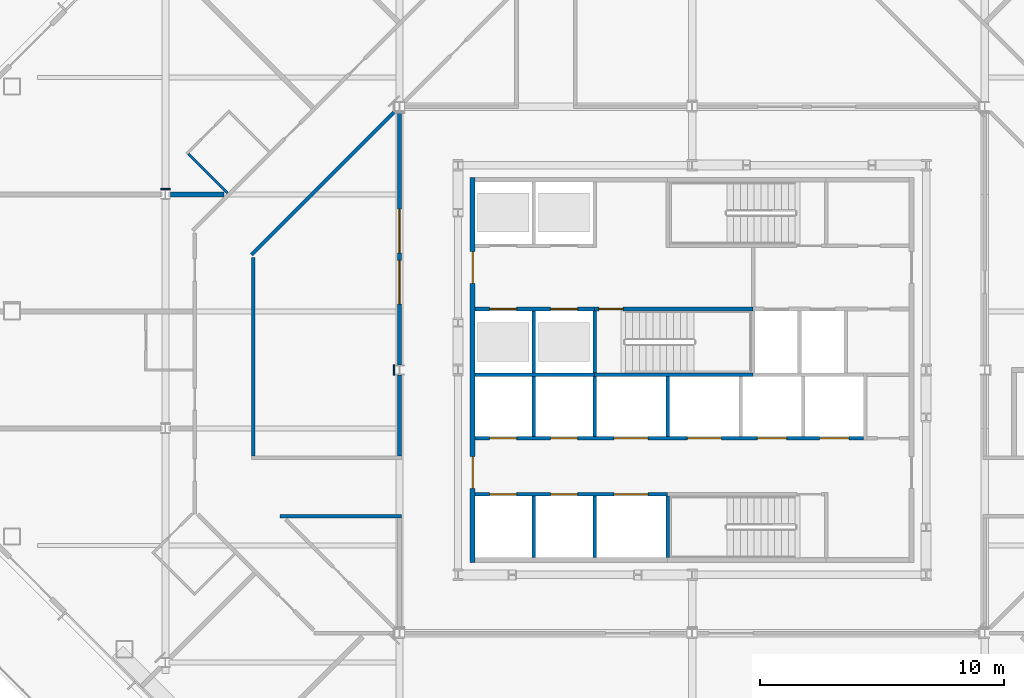
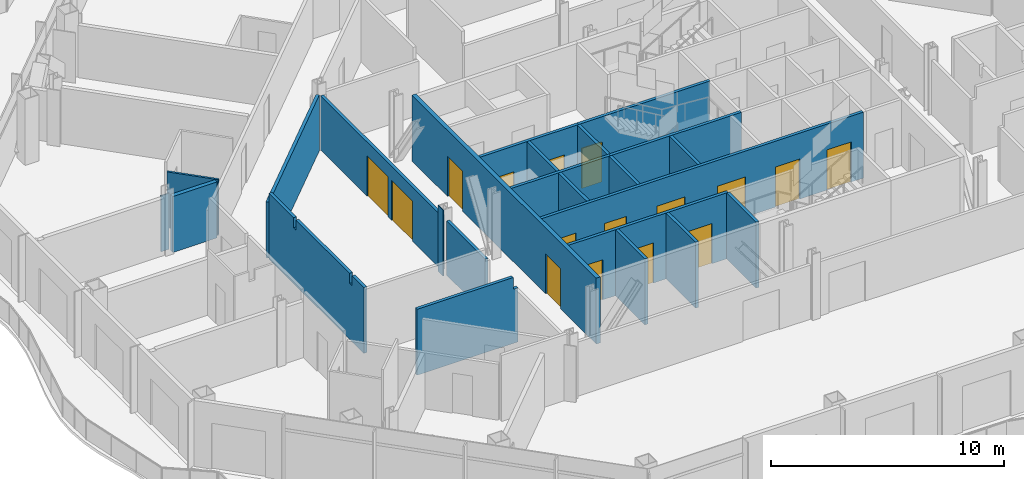
# One storey, part 10 of 24: 24 walls, 16 doors, 16 openings.
"""IFC4 building model written with IfcOpenShell, lengths in metres."""

import ifcopenshell
import ifcopenshell.guid

model = None  # the IFC model being written
_history = None  # IfcOwnerHistory: only IFC2X3 demands one
_inside = {}  # id of a spatial element -> (the spatial element, [elements in it])
_under = {}  # id of a project, library or spatial element -> (it, [spatial elements below it])
_declared = {}  # id of a project -> (the project, [libraries it declares])
_typed = {}  # id of a type object -> (the type object, [elements of that type])
_made_of = {}  # id of a material, layer set ... -> (it, [elements and type objects made of it])


def new_model(schema):
    """Start an empty IFC model of exactly this schema.

    Asked for "IFC4X3", IfcOpenShell would pick the latest addendum, in which some entities
    have other attributes; the version numbers below select the first issue.
    IFC2X3 requires an IfcOwnerHistory on every rooted entity: one is made here for all.
    """
    global model, _history
    if schema == "IFC4X3":
        model = ifcopenshell.file(schema_version=(4, 3, 0, 0))
    else:
        model = ifcopenshell.file(schema=schema)
    _inside.clear()
    _under.clear()
    _declared.clear()
    _typed.clear()
    _made_of.clear()
    _history = None
    if model.schema == "IFC2X3":
        org = make("IfcOrganization", Name="unknown")
        user = make(
            "IfcPersonAndOrganization",
            ThePerson=make("IfcPerson", FamilyName="unknown"),
            TheOrganization=org,
        )
        app = make(
            "IfcApplication",
            ApplicationDeveloper=org,
            Version="unknown",
            ApplicationFullName="unknown",
            ApplicationIdentifier="unknown",
        )
        _history = make(
            "IfcOwnerHistory",
            OwningUser=user,
            OwningApplication=app,
            ChangeAction="ADDED",
            CreationDate=0,
        )
    return model


def make(cls, **values):
    """One entity of the class cls with the attributes given. An attribute that is None is left unset."""
    return model.create_entity(
        cls, **{name: value for name, value in values.items() if value is not None}
    )


def rooted(cls, **values):
    """An entity with a GlobalId (a new one), such as an element, a storey or a relation."""
    return make(cls, GlobalId=ifcopenshell.guid.new(), OwnerHistory=_history, **values)


def si_unit(unit_type, name, prefix=None):
    """IfcSIUnit, for example si_unit("LENGTHUNIT", "METRE", prefix="MILLI")."""
    return make("IfcSIUnit", UnitType=unit_type, Prefix=prefix, Name=name)


def assignment(units):
    """IfcUnitAssignment: the units of a project."""
    return None if units is None else make("IfcUnitAssignment", Units=units)


def point(xyz):
    """IfcCartesianPoint."""
    return None if xyz is None else make("IfcCartesianPoint", Coordinates=xyz)


def direction(xyz):
    """IfcDirection."""
    return None if xyz is None else make("IfcDirection", DirectionRatios=xyz)


def frame(location, z_axis=None, x_axis=None):
    """IfcAxis2Placement3D, a coordinate frame: its origin and axes. An axis left out is left unset."""
    return make(
        "IfcAxis2Placement3D",
        Location=point(location),
        Axis=direction(z_axis),
        RefDirection=direction(x_axis),
    )


def frame_2d(location, x_axis=None):
    """IfcAxis2Placement2D, a coordinate frame in the plane: its origin and x axis."""
    return make(
        "IfcAxis2Placement2D", Location=point(location), RefDirection=direction(x_axis)
    )


def origin():
    """The frame at (0, 0, 0) with its axes left unset."""
    return frame((0.0, 0.0, 0.0))


def place(relative_to, where):
    """IfcLocalPlacement: puts the frame where relative to a parent placement (None: the world)."""
    return make(
        "IfcLocalPlacement", PlacementRelTo=relative_to, RelativePlacement=where
    )


def context(
    kind, dimensions, precision=None, world=None, true_north=None, identifier=None
):
    """IfcGeometricRepresentationContext, for example the 3D "Model" context."""
    return make(
        "IfcGeometricRepresentationContext",
        ContextIdentifier=identifier,
        ContextType=kind,
        CoordinateSpaceDimension=dimensions,
        Precision=precision,
        WorldCoordinateSystem=world,
        TrueNorth=true_north,
    )


def subcontext(parent, identifier, kind, view, scale=None):
    """IfcGeometricRepresentationSubContext, for example "Body" below "Model"."""
    return make(
        "IfcGeometricRepresentationSubContext",
        ContextIdentifier=identifier,
        ContextType=kind,
        ParentContext=parent,
        TargetScale=scale,
        TargetView=view,
    )


def project(units=None, contexts=None):
    """IfcProject with its units and contexts."""
    return rooted(
        "IfcProject",
        Name="project",
        RepresentationContexts=contexts,
        UnitsInContext=assignment(units),
    )


def spatial(cls, under=None, at=None, **own):
    """A site, building, storey or space (cls), placed at a placement, below another one or the project."""
    s = rooted(cls, ObjectPlacement=at, **own)
    if under is not None:
        _under.setdefault(under.id(), (under, []))[1].append(s)
    return s


def polyline(points):
    """IfcPolyline through the points."""
    return make("IfcPolyline", Points=[point(p) for p in points])


def profile(cls, at=None, kind="AREA", **sizes):
    """A parametric profile (cls). Its sizes go by their IFC names, for example OverallWidth=200.0."""
    return make(cls, ProfileType=kind, Position=at, **sizes)


def rectangle(**sizes):
    """IfcRectangleProfileDef."""
    return profile("IfcRectangleProfileDef", **sizes)


def outline(outer, holes=None, kind="AREA"):
    """IfcArbitraryClosedProfileDef: a profile drawn as a closed curve; with holes, ...WithVoids."""
    if holes is None:
        return make("IfcArbitraryClosedProfileDef", ProfileType=kind, OuterCurve=outer)
    return make(
        "IfcArbitraryProfileDefWithVoids",
        ProfileType=kind,
        OuterCurve=outer,
        InnerCurves=holes,
    )


def extrude(swept, where, along, depth):
    """IfcExtrudedAreaSolid: the profile swept, set in the frame where, extruded along a direction by depth."""
    return make(
        "IfcExtrudedAreaSolid",
        SweptArea=swept,
        Position=where,
        ExtrudedDirection=direction(along),
        Depth=depth,
    )


def shape(context_of_items, identifier, shape_type, items):
    """IfcShapeRepresentation: the items that make up one representation, for example the "Body"."""
    return make(
        "IfcShapeRepresentation",
        ContextOfItems=context_of_items,
        RepresentationIdentifier=identifier,
        RepresentationType=shape_type,
        Items=items,
    )


def material(Name=None, Category=None):
    """IfcMaterial."""
    return make("IfcMaterial", Name=Name, Category=Category)


def layer(
    of_material, thickness, ventilated=None, Name=None, Category=None, Priority=None
):
    """IfcMaterialLayer: one layer of a wall or slab, of a material (None: an air gap)."""
    return make(
        "IfcMaterialLayer",
        Material=of_material,
        LayerThickness=thickness,
        IsVentilated=ventilated,
        Name=Name,
        Category=Category,
        Priority=Priority,
    )


def layer_set(layers, Name=None):
    """IfcMaterialLayerSet."""
    return make("IfcMaterialLayerSet", MaterialLayers=layers, LayerSetName=Name)


def made_of(thing, what):
    """Note that an element or type object is made of a material, layer set ...; save() writes the relation."""
    if what is not None:
        _made_of.setdefault(what.id(), (what, []))[1].append(thing)
    return thing


def type_object(cls, material=None, **own):
    """A type object (cls), such as IfcWallType, which elements share."""
    return made_of(rooted(cls, **own), material)


def element(
    cls,
    number,
    at=None,
    inside=None,
    cuts=None,
    type_object=None,
    material=None,
    context=None,
    identifier="Body",
    shape_type=None,
    held_by="IfcProductDefinitionShape",
    body=None,
    shapes=None,
    **own,
):
    """One element of the class cls, such as IfcWall. Its Tag is "e" and its number.

    at: its placement. inside: the storey or other place that contains it. cuts: it is an
    opening in that element (IfcRelVoidsElement). A single representation is given by context,
    identifier, shape_type and body (its items); several are given by shapes. held_by: the class
    of the entity that holds the representations. save() writes the other relations.
    """
    e = rooted(cls, Tag="e%d" % number, ObjectPlacement=at, **own)
    if body is not None:
        shapes = [shape(context, identifier, shape_type, body)]
    if shapes is not None:
        e.Representation = make(held_by, Representations=shapes)
    if inside is not None:
        _inside.setdefault(inside.id(), (inside, []))[1].append(e)
    if cuts is not None:
        rooted(
            "IfcRelVoidsElement", RelatingBuildingElement=cuts, RelatedOpeningElement=e
        )
    if type_object is not None:
        _typed.setdefault(type_object.id(), (type_object, []))[1].append(e)
    return made_of(e, material)


def fill(opening, filler):
    """IfcRelFillsElement: the door or window that sits in an opening."""
    return rooted(
        "IfcRelFillsElement",
        RelatingOpeningElement=opening,
        RelatedBuildingElement=filler,
    )


def aggregate(whole, parts):
    """IfcRelAggregates: a whole, such as a stair, and the parts it consists of."""
    return rooted("IfcRelAggregates", RelatingObject=whole, RelatedObjects=parts)


def save(model, path):
    """Write the relations noted so far, then the file.

    IfcRelAggregates (storeys below a building ...), IfcRelContainedInSpatialStructure (elements
    in a storey), IfcRelDefinesByType, IfcRelAssociatesMaterial and IfcRelDeclares: one each for
    every whole, place, type object, material and project.
    """
    for whole, parts in _under.values():
        aggregate(whole, parts)
    for where, things in _inside.values():
        rooted(
            "IfcRelContainedInSpatialStructure",
            RelatedElements=things,
            RelatingStructure=where,
        )
    for kind, things in _typed.values():
        rooted("IfcRelDefinesByType", RelatedObjects=things, RelatingType=kind)
    for what, things in _made_of.values():
        rooted("IfcRelAssociatesMaterial", RelatedObjects=things, RelatingMaterial=what)
    for by, libraries in _declared.values():
        rooted("IfcRelDeclares", RelatingContext=by, RelatedDefinitions=libraries)
    model.write(path)


model = new_model("IFC4")

# Units and contexts
model_context = context("Model", 3, precision=1e-05, world=origin(), true_north=direction((0.0, 1.0)))
body_context = subcontext(model_context, "Body", "Model", "MODEL_VIEW")
ifc_project = project(units=[si_unit("LENGTHUNIT", "METRE"), si_unit("AREAUNIT", "SQUARE_METRE"), si_unit("VOLUMEUNIT", "CUBIC_METRE"), si_unit("PLANEANGLEUNIT", "RADIAN"), si_unit("MASSUNIT", "GRAM", prefix="KILO")], contexts=[model_context])

# Site, building, storey
site_placement = place(None, origin())
site = spatial("IfcSite", under=ifc_project, at=site_placement, CompositionType="ELEMENT")
building_placement = place(site_placement, origin())
building = spatial("IfcBuilding", under=site, at=building_placement, Name="Cairn Pilgrim Tower", CompositionType="ELEMENT")
storey_placement = place(building_placement, frame((0.0, 0.0, 125.39990234375)))
storey = spatial("IfcBuildingStorey", under=building, at=storey_placement, Name="L30", CompositionType="ELEMENT", Elevation=125.39990234375)

# Wall, openings, doors
ifc_material_1 = material(Name="Concrete C32/40", Category="concrete")
ifc_layer_1 = layer(ifc_material_1, 0.199951171875)
ifc_layer_set_1 = layer_set([ifc_layer_1], Name="CORE OUTER WALL 200 EI 120")
wall_type_1 = type_object("IfcWallType", Name="CORE OUTER WALL 200 EI 120", PredefinedType="SOLIDWALL", material=ifc_layer_set_1)
wall_1_placement = place(storey_placement, frame((-1.800048828125, -5.5, 0.0), z_axis=(0.0, 0.0, 1.0), x_axis=(0.0, 1.0, 0.0)))
wall_1 = element("IfcWall", 1, at=wall_1_placement, inside=storey, type_object=wall_type_1, Name="CW:L30:V11", PredefinedType="SOLIDWALL", context=body_context, shape_type="SweptSolid", body=[
    extrude(rectangle(XDim=15.800048828125, YDim=0.199951171875, at=frame_2d((7.89990234375, 0.0))), origin(), (0.0, 0.0, 1.0), 3.4501953125),
])
opening_1_placement = place(wall_1_placement, frame((3.050048828125, 0.0, 0.0)))
opening_1 = element("IfcOpeningElement", 2, at=opening_1_placement, cuts=wall_1, Name="Opening CD-W1", PredefinedType="OPENING", context=body_context, shape_type="SweptSolid", body=[
    extrude(rectangle(XDim=1.300048828125, YDim=2.10009765625, at=frame_2d((0.64990234375, 1.050048828125))), frame((0.0, 0.10986328125, 0.0), z_axis=(0.0, -1.0, 0.0), x_axis=(1.0, 0.0, 0.0)), (0.0, 0.0, 1.0), 0.219970703125),
])
opening_2_placement = place(wall_1_placement, frame((11.449951171875, 0.0, 0.0)))
opening_2 = element("IfcOpeningElement", 3, at=opening_2_placement, cuts=wall_1, Name="Opening CD-W2", PredefinedType="OPENING", context=body_context, shape_type="SweptSolid", body=[
    extrude(rectangle(XDim=1.300048828125, YDim=2.10009765625, at=frame_2d((0.64990234375, 1.050048828125))), frame((0.0, 0.10986328125, 0.0), z_axis=(0.0, -1.0, 0.0), x_axis=(1.0, 0.0, 0.0)), (0.0, 0.0, 1.0), 0.219970703125),
])
ifc_material_2 = material(Name="Painted steel", Category="steel")
door_type_1 = type_object("IfcDoorType", Name="CORE LOBBY DOOR 1300x2100", OperationType="DOUBLE_DOOR_SINGLE_SWING", PredefinedType="DOOR", material=ifc_material_2)
door_1_placement = place(opening_1_placement, origin())
door_1 = element("IfcDoor", 4, at=door_1_placement, inside=storey, type_object=door_type_1, Name="CD-W1", OperationType="DOUBLE_DOOR_SINGLE_SWING", OverallHeight=2.10009765625, OverallWidth=1.300048828125, PredefinedType="DOOR", context=body_context, shape_type="SweptSolid", body=[
    extrude(rectangle(XDim=1.300048828125, YDim=2.10009765625, at=frame_2d((0.64990234375, 1.050048828125))), frame((0.0, 0.02490234375, 0.0), z_axis=(0.0, -1.0, 0.0), x_axis=(1.0, 0.0, 0.0)), (0.0, 0.0, 1.0), 0.050048828125),
])
fill(opening_1, door_1)
door_2_placement = place(opening_2_placement, origin())
door_2 = element("IfcDoor", 5, at=door_2_placement, inside=storey, type_object=door_type_1, Name="CD-W2", OperationType="DOUBLE_DOOR_SINGLE_SWING", OverallHeight=2.10009765625, OverallWidth=1.300048828125, PredefinedType="DOOR", context=body_context, shape_type="SweptSolid", body=[
    extrude(rectangle(XDim=1.300048828125, YDim=2.10009765625, at=frame_2d((0.64990234375, 1.050048828125))), frame((0.0, 0.02490234375, 0.0), z_axis=(0.0, -1.0, 0.0), x_axis=(1.0, 0.0, 0.0)), (0.0, 0.0, 1.0), 0.050048828125),
])
fill(opening_2, door_2)

ifc_layer_2 = layer(ifc_material_1, 0.14990234375)
ifc_layer_set_2 = layer_set([ifc_layer_2], Name="CORE SHAFT WALL 150 EI 120")
wall_type_2 = type_object("IfcWallType", Name="CORE SHAFT WALL 150 EI 120", PredefinedType="SOLIDWALL", material=ifc_layer_set_2)
wall_2_placement = place(storey_placement, frame((-1.699951171875, -2.699951171875, 0.0), z_axis=(0.0, 0.0, 1.0), x_axis=(1.0, 0.0, 0.0)))
wall_2 = element("IfcWall", 6, at=wall_2_placement, inside=storey, type_object=wall_type_2, Name="CW:L30:H02-1", PredefinedType="SOLIDWALL", context=body_context, shape_type="SweptSolid", body=[
    extrude(rectangle(XDim=7.89990234375, YDim=0.14990234375, at=frame_2d((3.949951171875, 0.0))), origin(), (0.0, 0.0, 1.0), 3.4501953125),
])
opening_3_placement = place(wall_2_placement, frame((0.60009765625, 0.0, 0.0)))
opening_3 = element("IfcOpeningElement", 7, at=opening_3_placement, cuts=wall_2, Name="Opening LD-LR1", PredefinedType="OPENING", context=body_context, shape_type="SweptSolid", body=[
    extrude(rectangle(XDim=1.10009765625, YDim=2.10009765625, at=frame_2d((0.550048828125, 1.050048828125))), frame((0.0, 0.0849609375, 0.0), z_axis=(0.0, -1.0, 0.0), x_axis=(1.0, 0.0, 0.0)), (0.0, 0.0, 1.0), 0.169921875),
])
opening_4_placement = place(wall_2_placement, frame((3.10009765625, 0.0, 0.0)))
opening_4 = element("IfcOpeningElement", 8, at=opening_4_placement, cuts=wall_2, Name="Opening LD-LR2", PredefinedType="OPENING", context=body_context, shape_type="SweptSolid", body=[
    extrude(rectangle(XDim=1.10009765625, YDim=2.10009765625, at=frame_2d((0.550048828125, 1.050048828125))), frame((0.0, 0.0849609375, 0.0), z_axis=(0.0, -1.0, 0.0), x_axis=(1.0, 0.0, 0.0)), (0.0, 0.0, 1.0), 0.169921875),
])
opening_5_placement = place(wall_2_placement, frame((5.699951171875, 0.0, 0.0)))
opening_5 = element("IfcOpeningElement", 9, at=opening_5_placement, cuts=wall_2, Name="Opening LD-SH1", PredefinedType="OPENING", context=body_context, shape_type="SweptSolid", body=[
    extrude(rectangle(XDim=1.39990234375, YDim=2.10009765625, at=frame_2d((0.699951171875, 1.050048828125))), frame((0.0, 0.0849609375, 0.0), z_axis=(0.0, -1.0, 0.0), x_axis=(1.0, 0.0, 0.0)), (0.0, 0.0, 1.0), 0.169921875),
])
ifc_material_3 = material(Name="Stainless steel", Category="steel")
door_type_2 = type_object("IfcDoorType", Name="LIFT LANDING DOOR 1100x2100", OperationType="DOUBLE_DOOR_SLIDING", PredefinedType="DOOR", material=ifc_material_3)
door_3_placement = place(opening_3_placement, origin())
door_3 = element("IfcDoor", 10, at=door_3_placement, inside=storey, type_object=door_type_2, Name="LANDING DOOR LR1", OperationType="DOUBLE_DOOR_SLIDING", OverallHeight=2.10009765625, OverallWidth=1.10009765625, PredefinedType="DOOR", context=body_context, shape_type="SweptSolid", body=[
    extrude(rectangle(XDim=1.10009765625, YDim=2.10009765625, at=frame_2d((0.550048828125, 1.050048828125))), frame((0.0, 0.02490234375, 0.0), z_axis=(0.0, -1.0, 0.0), x_axis=(1.0, 0.0, 0.0)), (0.0, 0.0, 1.0), 0.050048828125),
])
fill(opening_3, door_3)
door_4_placement = place(opening_4_placement, origin())
door_4 = element("IfcDoor", 11, at=door_4_placement, inside=storey, type_object=door_type_2, Name="LANDING DOOR LR2", OperationType="DOUBLE_DOOR_SLIDING", OverallHeight=2.10009765625, OverallWidth=1.10009765625, PredefinedType="DOOR", context=body_context, shape_type="SweptSolid", body=[
    extrude(rectangle(XDim=1.10009765625, YDim=2.10009765625, at=frame_2d((0.550048828125, 1.050048828125))), frame((0.0, 0.02490234375, 0.0), z_axis=(0.0, -1.0, 0.0), x_axis=(1.0, 0.0, 0.0)), (0.0, 0.0, 1.0), 0.050048828125),
])
fill(opening_4, door_4)
door_type_3 = type_object("IfcDoorType", Name="LIFT LANDING DOOR 1400x2100", OperationType="DOUBLE_DOOR_SLIDING", PredefinedType="DOOR", material=ifc_material_3)
door_5_placement = place(opening_5_placement, origin())
door_5 = element("IfcDoor", 12, at=door_5_placement, inside=storey, type_object=door_type_3, Name="LANDING DOOR SH1", OperationType="DOUBLE_DOOR_SLIDING", OverallHeight=2.10009765625, OverallWidth=1.39990234375, PredefinedType="DOOR", context=body_context, shape_type="SweptSolid", body=[
    extrude(rectangle(XDim=1.39990234375, YDim=2.10009765625, at=frame_2d((0.699951171875, 1.050048828125))), frame((0.0, 0.02490234375, 0.0), z_axis=(0.0, -1.0, 0.0), x_axis=(1.0, 0.0, 0.0)), (0.0, 0.0, 1.0), 0.050048828125),
])
fill(opening_5, door_5)

wall_3_placement = place(storey_placement, frame((-1.699951171875, -0.39990234375, 0.0), z_axis=(0.0, 0.0, 1.0), x_axis=(1.0, 0.0, 0.0)))
wall_3 = element("IfcWall", 13, at=wall_3_placement, inside=storey, type_object=wall_type_2, Name="CW:L30:H03", PredefinedType="SOLIDWALL", context=body_context, shape_type="SweptSolid", body=[
    extrude(rectangle(XDim=15.925048828125, YDim=0.14990234375, at=frame_2d((7.96240234375, 0.0))), origin(), (0.0, 0.0, 1.0), 3.4501953125),
])
opening_6_placement = place(wall_3_placement, frame((0.60009765625, 0.0, 0.0)))
opening_6 = element("IfcOpeningElement", 14, at=opening_6_placement, cuts=wall_3, Name="Opening LD-LR3", PredefinedType="OPENING", context=body_context, shape_type="SweptSolid", body=[
    extrude(rectangle(XDim=1.10009765625, YDim=2.10009765625, at=frame_2d((0.550048828125, 1.050048828125))), frame((0.0, 0.0849609375, 0.0), z_axis=(0.0, -1.0, 0.0), x_axis=(1.0, 0.0, 0.0)), (0.0, 0.0, 1.0), 0.169921875),
])
opening_7_placement = place(wall_3_placement, frame((3.10009765625, 0.0, 0.0)))
opening_7 = element("IfcOpeningElement", 15, at=opening_7_placement, cuts=wall_3, Name="Opening LD-LR4", PredefinedType="OPENING", context=body_context, shape_type="SweptSolid", body=[
    extrude(rectangle(XDim=1.10009765625, YDim=2.10009765625, at=frame_2d((0.550048828125, 1.050048828125))), frame((0.0, 0.0849609375, 0.0), z_axis=(0.0, -1.0, 0.0), x_axis=(1.0, 0.0, 0.0)), (0.0, 0.0, 1.0), 0.169921875),
])
opening_8_placement = place(wall_3_placement, frame((5.699951171875, 0.0, 0.0)))
opening_8 = element("IfcOpeningElement", 16, at=opening_8_placement, cuts=wall_3, Name="Opening LD-SH2", PredefinedType="OPENING", context=body_context, shape_type="SweptSolid", body=[
    extrude(rectangle(XDim=1.39990234375, YDim=2.10009765625, at=frame_2d((0.699951171875, 1.050048828125))), frame((0.0, 0.0849609375, 0.0), z_axis=(0.0, -1.0, 0.0), x_axis=(1.0, 0.0, 0.0)), (0.0, 0.0, 1.0), 0.169921875),
])
opening_9_placement = place(wall_3_placement, frame((8.699951171875, 0.0, 0.0)))
opening_9 = element("IfcOpeningElement", 17, at=opening_9_placement, cuts=wall_3, Name="Opening LD-SH3", PredefinedType="OPENING", context=body_context, shape_type="SweptSolid", body=[
    extrude(rectangle(XDim=1.39990234375, YDim=2.10009765625, at=frame_2d((0.699951171875, 1.050048828125))), frame((0.0, 0.0849609375, 0.0), z_axis=(0.0, -1.0, 0.0), x_axis=(1.0, 0.0, 0.0)), (0.0, 0.0, 1.0), 0.169921875),
])
opening_10_placement = place(wall_3_placement, frame((11.574951171875, 0.0, 0.0)))
opening_10 = element("IfcOpeningElement", 18, at=opening_10_placement, cuts=wall_3, Name="Opening LD-SV1", PredefinedType="OPENING", context=body_context, shape_type="SweptSolid", body=[
    extrude(rectangle(XDim=1.199951171875, YDim=2.10009765625, at=frame_2d((0.60009765625, 1.050048828125))), frame((0.0, 0.0849609375, 0.0), z_axis=(0.0, -1.0, 0.0), x_axis=(1.0, 0.0, 0.0)), (0.0, 0.0, 1.0), 0.169921875),
])
opening_11_placement = place(wall_3_placement, frame((14.125, 0.0, 0.0)))
opening_11 = element("IfcOpeningElement", 19, at=opening_11_placement, cuts=wall_3, Name="Opening LD-SV2", PredefinedType="OPENING", context=body_context, shape_type="SweptSolid", body=[
    extrude(rectangle(XDim=1.199951171875, YDim=2.10009765625, at=frame_2d((0.60009765625, 1.050048828125))), frame((0.0, 0.0849609375, 0.0), z_axis=(0.0, -1.0, 0.0), x_axis=(1.0, 0.0, 0.0)), (0.0, 0.0, 1.0), 0.169921875),
])
door_6_placement = place(opening_6_placement, origin())
door_6 = element("IfcDoor", 20, at=door_6_placement, inside=storey, type_object=door_type_2, Name="LANDING DOOR LR3", OperationType="DOUBLE_DOOR_SLIDING", OverallHeight=2.10009765625, OverallWidth=1.10009765625, PredefinedType="DOOR", context=body_context, shape_type="SweptSolid", body=[
    extrude(rectangle(XDim=1.10009765625, YDim=2.10009765625, at=frame_2d((0.550048828125, 1.050048828125))), frame((0.0, 0.02490234375, 0.0), z_axis=(0.0, -1.0, 0.0), x_axis=(1.0, 0.0, 0.0)), (0.0, 0.0, 1.0), 0.050048828125),
])
fill(opening_6, door_6)
door_7_placement = place(opening_7_placement, origin())
door_7 = element("IfcDoor", 21, at=door_7_placement, inside=storey, type_object=door_type_2, Name="LANDING DOOR LR4", OperationType="DOUBLE_DOOR_SLIDING", OverallHeight=2.10009765625, OverallWidth=1.10009765625, PredefinedType="DOOR", context=body_context, shape_type="SweptSolid", body=[
    extrude(rectangle(XDim=1.10009765625, YDim=2.10009765625, at=frame_2d((0.550048828125, 1.050048828125))), frame((0.0, 0.02490234375, 0.0), z_axis=(0.0, -1.0, 0.0), x_axis=(1.0, 0.0, 0.0)), (0.0, 0.0, 1.0), 0.050048828125),
])
fill(opening_7, door_7)
door_type_4 = type_object("IfcDoorType", Name="LIFT LANDING DOOR 1200x2100", OperationType="DOUBLE_DOOR_SLIDING", PredefinedType="DOOR", material=ifc_material_3)
door_8_placement = place(opening_10_placement, origin())
door_8 = element("IfcDoor", 22, at=door_8_placement, inside=storey, type_object=door_type_4, Name="LANDING DOOR SV1", OperationType="DOUBLE_DOOR_SLIDING", OverallHeight=2.10009765625, OverallWidth=1.199951171875, PredefinedType="DOOR", context=body_context, shape_type="SweptSolid", body=[
    extrude(rectangle(XDim=1.199951171875, YDim=2.10009765625, at=frame_2d((0.60009765625, 1.050048828125))), frame((0.0, 0.02490234375, 0.0), z_axis=(0.0, -1.0, 0.0), x_axis=(1.0, 0.0, 0.0)), (0.0, 0.0, 1.0), 0.050048828125),
])
fill(opening_10, door_8)
door_9_placement = place(opening_11_placement, origin())
door_9 = element("IfcDoor", 23, at=door_9_placement, inside=storey, type_object=door_type_4, Name="LANDING DOOR SV2", OperationType="DOUBLE_DOOR_SLIDING", OverallHeight=2.10009765625, OverallWidth=1.199951171875, PredefinedType="DOOR", context=body_context, shape_type="SweptSolid", body=[
    extrude(rectangle(XDim=1.199951171875, YDim=2.10009765625, at=frame_2d((0.60009765625, 1.050048828125))), frame((0.0, 0.02490234375, 0.0), z_axis=(0.0, -1.0, 0.0), x_axis=(1.0, 0.0, 0.0)), (0.0, 0.0, 1.0), 0.050048828125),
])
fill(opening_11, door_9)
door_10_placement = place(opening_8_placement, origin())
door_10 = element("IfcDoor", 24, at=door_10_placement, inside=storey, type_object=door_type_3, Name="LANDING DOOR SH2", OperationType="DOUBLE_DOOR_SLIDING", OverallHeight=2.10009765625, OverallWidth=1.39990234375, PredefinedType="DOOR", context=body_context, shape_type="SweptSolid", body=[
    extrude(rectangle(XDim=1.39990234375, YDim=2.10009765625, at=frame_2d((0.699951171875, 1.050048828125))), frame((0.0, 0.02490234375, 0.0), z_axis=(0.0, -1.0, 0.0), x_axis=(1.0, 0.0, 0.0)), (0.0, 0.0, 1.0), 0.050048828125),
])
fill(opening_8, door_10)
door_11_placement = place(opening_9_placement, origin())
door_11 = element("IfcDoor", 25, at=door_11_placement, inside=storey, type_object=door_type_3, Name="LANDING DOOR SH3", OperationType="DOUBLE_DOOR_SLIDING", OverallHeight=2.10009765625, OverallWidth=1.39990234375, PredefinedType="DOOR", context=body_context, shape_type="SweptSolid", body=[
    extrude(rectangle(XDim=1.39990234375, YDim=2.10009765625, at=frame_2d((0.699951171875, 1.050048828125))), frame((0.0, 0.02490234375, 0.0), z_axis=(0.0, -1.0, 0.0), x_axis=(1.0, 0.0, 0.0)), (0.0, 0.0, 1.0), 0.050048828125),
])
fill(opening_9, door_11)

# Wall
wall_4_placement = place(storey_placement, frame((-1.699951171875, 2.199951171875, 0.0), z_axis=(0.0, 0.0, 1.0), x_axis=(1.0, 0.0, 0.0)))
element("IfcWall", 26, at=wall_4_placement, inside=storey, type_object=wall_type_2, Name="CW:L30:H05-1", PredefinedType="SOLIDWALL", context=body_context, shape_type="SweptSolid", body=[
    extrude(rectangle(XDim=4.89990234375, YDim=0.14990234375, at=frame_2d((2.449951171875, 0.0))), origin(), (0.0, 0.0, 1.0), 3.4501953125),
])

# Wall, openings, doors
wall_5_placement = place(storey_placement, frame((-1.699951171875, 4.89990234375, 0.0), z_axis=(0.0, 0.0, 1.0), x_axis=(1.0, 0.0, 0.0)))
wall_5 = element("IfcWall", 27, at=wall_5_placement, inside=storey, type_object=wall_type_2, Name="CW:L30:H07-1", PredefinedType="SOLIDWALL", context=body_context, shape_type="SweptSolid", body=[
    extrude(rectangle(XDim=4.89990234375, YDim=0.14990234375, at=frame_2d((2.449951171875, 0.0))), origin(), (0.0, 0.0, 1.0), 3.4501953125),
])
opening_12_placement = place(wall_5_placement, frame((0.60009765625, 0.0, 0.0)))
opening_12 = element("IfcOpeningElement", 28, at=opening_12_placement, cuts=wall_5, Name="Opening LD-HR1", PredefinedType="OPENING", context=body_context, shape_type="SweptSolid", body=[
    extrude(rectangle(XDim=1.10009765625, YDim=2.10009765625, at=frame_2d((0.550048828125, 1.050048828125))), frame((0.0, 0.0849609375, 0.0), z_axis=(0.0, -1.0, 0.0), x_axis=(1.0, 0.0, 0.0)), (0.0, 0.0, 1.0), 0.169921875),
])
opening_13_placement = place(wall_5_placement, frame((3.10009765625, 0.0, 0.0)))
opening_13 = element("IfcOpeningElement", 29, at=opening_13_placement, cuts=wall_5, Name="Opening LD-HR2", PredefinedType="OPENING", context=body_context, shape_type="SweptSolid", body=[
    extrude(rectangle(XDim=1.10009765625, YDim=2.10009765625, at=frame_2d((0.550048828125, 1.050048828125))), frame((0.0, 0.0849609375, 0.0), z_axis=(0.0, -1.0, 0.0), x_axis=(1.0, 0.0, 0.0)), (0.0, 0.0, 1.0), 0.169921875),
])
door_12_placement = place(opening_12_placement, origin())
door_12 = element("IfcDoor", 30, at=door_12_placement, inside=storey, type_object=door_type_2, Name="LANDING DOOR HR1", OperationType="DOUBLE_DOOR_SLIDING", OverallHeight=2.10009765625, OverallWidth=1.10009765625, PredefinedType="DOOR", context=body_context, shape_type="SweptSolid", body=[
    extrude(rectangle(XDim=1.10009765625, YDim=2.10009765625, at=frame_2d((0.550048828125, 1.050048828125))), frame((0.0, 0.02490234375, 0.0), z_axis=(0.0, -1.0, 0.0), x_axis=(1.0, 0.0, 0.0)), (0.0, 0.0, 1.0), 0.050048828125),
])
fill(opening_12, door_12)
door_13_placement = place(opening_13_placement, origin())
door_13 = element("IfcDoor", 31, at=door_13_placement, inside=storey, type_object=door_type_2, Name="LANDING DOOR HR2", OperationType="DOUBLE_DOOR_SLIDING", OverallHeight=2.10009765625, OverallWidth=1.10009765625, PredefinedType="DOOR", context=body_context, shape_type="SweptSolid", body=[
    extrude(rectangle(XDim=1.10009765625, YDim=2.10009765625, at=frame_2d((0.550048828125, 1.050048828125))), frame((0.0, 0.02490234375, 0.0), z_axis=(0.0, -1.0, 0.0), x_axis=(1.0, 0.0, 0.0)), (0.0, 0.0, 1.0), 0.050048828125),
])
fill(opening_13, door_13)

# Walls
wall_6_placement = place(storey_placement, frame((0.699951171875, -5.300048828125, 0.0), z_axis=(0.0, 0.0, 1.0), x_axis=(0.0, 1.0, 0.0)))
element("IfcWall", 32, at=wall_6_placement, inside=storey, type_object=wall_type_2, Name="CW:L30:V12", PredefinedType="SOLIDWALL", context=body_context, shape_type="SweptSolid", body=[
    extrude(rectangle(XDim=2.525146484375, YDim=0.14990234375, at=frame_2d((1.2626953125, 0.0))), origin(), (0.0, 0.0, 1.0), 3.4501953125),
])
wall_7_placement = place(storey_placement, frame((0.699951171875, -0.324951171875, 0.0), z_axis=(0.0, 0.0, 1.0), x_axis=(0.0, 1.0, 0.0)))
element("IfcWall", 33, at=wall_7_placement, inside=storey, type_object=wall_type_2, Name="CW:L30:V13", PredefinedType="SOLIDWALL", context=body_context, shape_type="SweptSolid", body=[
    extrude(rectangle(XDim=2.449951171875, YDim=0.14990234375, at=frame_2d((1.22509765625, 0.0))), origin(), (0.0, 0.0, 1.0), 3.4501953125),
])
wall_8_placement = place(storey_placement, frame((0.699951171875, 2.27490234375, 0.0), z_axis=(0.0, 0.0, 1.0), x_axis=(0.0, 1.0, 0.0)))
element("IfcWall", 34, at=wall_8_placement, inside=storey, type_object=wall_type_2, Name="CW:L30:V14", PredefinedType="SOLIDWALL", context=body_context, shape_type="SweptSolid", body=[
    extrude(rectangle(XDim=2.550048828125, YDim=0.14990234375, at=frame_2d((1.27490234375, 0.0))), origin(), (0.0, 0.0, 1.0), 3.4501953125),
])
wall_9_placement = place(storey_placement, frame((3.199951171875, -5.300048828125, 0.0), z_axis=(0.0, 0.0, 1.0), x_axis=(0.0, 1.0, 0.0)))
element("IfcWall", 35, at=wall_9_placement, inside=storey, type_object=wall_type_2, Name="CW:L30:V16", PredefinedType="SOLIDWALL", context=body_context, shape_type="SweptSolid", body=[
    extrude(rectangle(XDim=2.525146484375, YDim=0.14990234375, at=frame_2d((1.2626953125, 0.0))), origin(), (0.0, 0.0, 1.0), 3.4501953125),
])
for number, where, z_axis, x_axis, name in (
    (36, (3.199951171875, -0.324951171875, 0.0), (0.0, 0.0, 1.0), (0.0, 1.0, 0.0), "CW:L30:V17"),
    (37, (6.199951171875, -0.324951171875, 0.0), (0.0, 0.0, 1.0), (0.0, 1.0, 0.0), "CW:L30:V21"),
):
    element("IfcWall", number, at=place(storey_placement, frame(where, z_axis=z_axis, x_axis=x_axis)), inside=storey, type_object=wall_type_2, Name=name, PredefinedType="SOLIDWALL", context=body_context, shape_type="SweptSolid", body=[
        extrude(rectangle(XDim=2.449951171875, YDim=0.14990234375, at=frame_2d((1.22509765625, 0.0))), origin(), (0.0, 0.0, 1.0), 3.4501953125),
    ])
ifc_material_4 = material(Name="Gypsum partition")
ifc_layer_3 = layer(ifc_material_4, 0.10009765625)
ifc_layer_set_3 = layer_set([ifc_layer_3], Name="PARTITION 100 DRYWALL")
wall_type_3 = type_object("IfcWallType", Name="PARTITION 100 DRYWALL", PredefinedType="PARTITIONING", material=ifc_layer_set_3)
wall_10_placement = place(storey_placement, frame((-11.846923828125, 9.653076171875, 0.0), z_axis=(0.0, 0.0, 1.0), x_axis=(-0.707106781187, 0.707106781187, 0.0)))
element("IfcWall", 38, at=wall_10_placement, inside=storey, type_object=wall_type_3, Name="PARTITION W058", PredefinedType="PARTITIONING", context=body_context, shape_type="SweptSolid", body=[
    extrude(rectangle(XDim=2.27490234375, YDim=0.10009765625, at=frame_2d((1.137451171875, 0.0))), origin(), (0.0, 0.0, 1.0), 2.93017578125),
])
ifc_layer_4 = layer(ifc_material_4, 0.14990234375)
ifc_layer_set_4 = layer_set([ifc_layer_4], Name="PARTITION 150 DRYWALL EI 60")
wall_type_4 = type_object("IfcWallType", Name="PARTITION 150 DRYWALL EI 60", PredefinedType="PARTITIONING", material=ifc_layer_set_4)
wall_11_placement = place(storey_placement, frame((-9.7060546875, -3.60009765625, 0.0), z_axis=(0.0, 0.0, 1.0), x_axis=(1.0, 0.0, 0.0)))
element("IfcWall", 39, at=wall_11_placement, inside=storey, type_object=wall_type_4, Name="PARTITION W021", PredefinedType="PARTITIONING", context=body_context, shape_type="SweptSolid", body=[
    extrude(outline(polyline([(0.0, 0.0), (4.98095703125, 0.0), (4.981201171875, 2.830078125), (4.756103515625, 2.830078125), (4.754150390625, 3.4501953125), (0.0, 3.4501953125), (0.0, 0.0)])), frame((0.0, 0.074951171875, 0.0), z_axis=(0.0, -1.0, 0.0), x_axis=(1.0, 0.0, 0.0)), (0.0, 0.0, 1.0), 0.14990234375),
])
wall_12_placement = place(storey_placement, frame((-10.800048828125, -1.125, 0.0), z_axis=(0.0, 0.0, 1.0), x_axis=(0.0, 1.0, 0.0)))
element("IfcWall", 40, at=wall_12_placement, inside=storey, type_object=wall_type_4, Name="PARTITION W028", PredefinedType="PARTITIONING", context=body_context, shape_type="SweptSolid", body=[
    extrude(outline(polyline([(0.0, 0.0), (8.143798828125, 0.0), (8.143798828125, 3.4501953125), (6.02490234375, 3.4501953125), (6.02294921875, 2.93017578125), (5.824951171875, 2.93017578125), (5.822998046875, 3.4501953125), (1.22509765625, 3.4501953125), (1.222900390625, 2.93017578125), (1.02490234375, 2.93017578125), (1.02294921875, 3.4501953125), (0.0, 3.4501953125), (0.0, 0.0)])), frame((0.0, 0.074951171875, 0.0), z_axis=(0.0, -1.0, 0.0), x_axis=(1.0, 0.0, 0.0)), (0.0, 0.0, 1.0), 0.14990234375),
])
wall_13_placement = place(storey_placement, frame((-4.800048828125, -1.125, 0.0), z_axis=(0.0, 0.0, 1.0), x_axis=(0.0, 1.0, 0.0)))
element("IfcWall", 41, at=wall_13_placement, inside=storey, type_object=wall_type_4, Name="PARTITION W029", PredefinedType="PARTITIONING", context=body_context, shape_type="SweptSolid", body=[
    extrude(rectangle(XDim=3.3125, YDim=0.14990234375, at=frame_2d((1.65625, 0.0))), origin(), (0.0, 0.0, 1.0), 2.830078125),
])

# Wall, openings, doors
wall_14_placement = place(storey_placement, frame((-4.800048828125, 2.612548828125, 0.0), z_axis=(0.0, 0.0, 1.0), x_axis=(0.0, 1.0, 0.0)))
wall_14 = element("IfcWall", 42, at=wall_14_placement, inside=storey, type_object=wall_type_4, Name="PARTITION W044", PredefinedType="PARTITIONING", context=body_context, shape_type="SweptSolid", body=[
    extrude(rectangle(XDim=10.375, YDim=0.14990234375, at=frame_2d((5.1875, 0.0))), origin(), (0.0, 0.0, 1.0), 2.830078125),
])
opening_14_placement = place(wall_14_placement, frame((2.487548828125, 0.0, 0.0)))
opening_14 = element("IfcOpeningElement", 43, at=opening_14_placement, cuts=wall_14, Name="Opening 3017", PredefinedType="OPENING", context=body_context, shape_type="SweptSolid", body=[
    extrude(rectangle(XDim=1.800048828125, YDim=2.10009765625, at=frame_2d((0.89990234375, 1.050048828125))), frame((0.0, 0.0849609375, 0.0), z_axis=(0.0, -1.0, 0.0), x_axis=(1.0, 0.0, 0.0)), (0.0, 0.0, 1.0), 0.169921875),
])
opening_15_placement = place(wall_14_placement, frame((4.58740234375, 0.0, 0.0)))
opening_15 = element("IfcOpeningElement", 44, at=opening_15_placement, cuts=wall_14, Name="Opening 3017A", PredefinedType="OPENING", context=body_context, shape_type="SweptSolid", body=[
    extrude(rectangle(XDim=1.800048828125, YDim=2.10009765625, at=frame_2d((0.89990234375, 1.050048828125))), frame((0.0, 0.0849609375, 0.0), z_axis=(0.0, -1.0, 0.0), x_axis=(1.0, 0.0, 0.0)), (0.0, 0.0, 1.0), 0.169921875),
])
ifc_material_5 = material(Name="Timber door leaf", Category="wood")
door_type_5 = type_object("IfcDoorType", Name="DOOR PAIR 1800x2100 FD60S", OperationType="NOTDEFINED", PredefinedType="DOOR", material=ifc_material_5)
door_14_placement = place(opening_14_placement, origin())
door_14 = element("IfcDoor", 45, at=door_14_placement, inside=storey, type_object=door_type_5, Name="DOOR 3017", OperationType="DOUBLE_DOOR_SINGLE_SWING", OverallHeight=2.10009765625, OverallWidth=1.800048828125, PredefinedType="DOOR", context=body_context, shape_type="SweptSolid", body=[
    extrude(rectangle(XDim=1.800048828125, YDim=2.10009765625, at=frame_2d((0.89990234375, 1.050048828125))), frame((0.0, 0.02490234375, 0.0), z_axis=(0.0, -1.0, 0.0), x_axis=(1.0, 0.0, 0.0)), (0.0, 0.0, 1.0), 0.050048828125),
])
fill(opening_14, door_14)
door_15_placement = place(opening_15_placement, origin())
door_15 = element("IfcDoor", 46, at=door_15_placement, inside=storey, type_object=door_type_5, Name="DOOR 3017A", OperationType="DOUBLE_DOOR_SINGLE_SWING", OverallHeight=2.10009765625, OverallWidth=1.800048828125, PredefinedType="DOOR", context=body_context, shape_type="SweptSolid", body=[
    extrude(rectangle(XDim=1.800048828125, YDim=2.10009765625, at=frame_2d((0.89990234375, 1.050048828125))), frame((0.0, 0.02490234375, 0.0), z_axis=(0.0, -1.0, 0.0), x_axis=(1.0, 0.0, 0.0)), (0.0, 0.0, 1.0), 0.050048828125),
])
fill(opening_15, door_15)

# Walls
wall_15_placement = place(storey_placement, frame((-10.875, 7.125, 0.0), z_axis=(0.0, 0.0, 1.0), x_axis=(0.707106781187, 0.707106781187, 0.0)))
element("IfcWall", 47, at=wall_15_placement, inside=storey, type_object=wall_type_4, Name="PARTITION W050", PredefinedType="PARTITIONING", context=body_context, shape_type="SweptSolid", body=[
    extrude(rectangle(XDim=8.29638671875, YDim=0.14990234375, at=frame_2d((4.148193359375, 0.0))), origin(), (0.0, 0.0, 1.0), 2.93017578125),
])
ifc_layer_5 = layer(ifc_material_4, 0.050048828125)
ifc_layer_set_5 = layer_set([ifc_layer_5], Name="PARTITION 50 DRYWALL EI 60")
wall_type_5 = type_object("IfcWallType", Name="PARTITION 50 DRYWALL EI 60", PredefinedType="PARTITIONING", material=ifc_layer_set_5)
wall_16_placement = place(storey_placement, frame((-5.029541015625, 2.1875, 0.0), z_axis=(0.0, 0.0, 1.0), x_axis=(0.0, 1.0, 0.0)))
element("IfcWall", 48, at=wall_16_placement, inside=storey, type_object=wall_type_5, Name="COLUMN CASING WC15", PredefinedType="PARTITIONING", context=body_context, shape_type="SweptSolid", body=[
    extrude(rectangle(XDim=0.425048828125, YDim=0.050048828125, at=frame_2d((0.21240234375, 0.0))), origin(), (0.0, 0.0, 1.0), 3.4501953125),
])
wall_17_placement = place(storey_placement, frame((-14.599609375, 9.821533203125, 0.0), z_axis=(0.0, 0.0, 1.0), x_axis=(1.0, 0.0, 0.0)))
element("IfcWall", 49, at=wall_17_placement, inside=storey, type_object=wall_type_5, Name="COLUMN CASING WC25", PredefinedType="PARTITIONING", context=body_context, shape_type="SweptSolid", body=[
    extrude(rectangle(XDim=0.399169921875, YDim=0.050048828125, at=frame_2d((0.19970703125, 0.0))), origin(), (0.0, 0.0, 1.0), 2.93017578125),
])
ifc_layer_6 = layer(ifc_material_4, 0.199951171875)
ifc_layer_set_6 = layer_set([ifc_layer_6], Name="SHAFT WALL 200 GYPSUM EI 60")
wall_type_6 = type_object("IfcWallType", Name="SHAFT WALL 200 GYPSUM EI 60", PredefinedType="PARTITIONING", material=ifc_layer_set_6)
wall_18_placement = place(storey_placement, frame((-14.200439453125, 9.60009765625, 0.0), z_axis=(0.0, 0.0, 1.0), x_axis=(1.0, 0.0, 0.0)))
element("IfcWall", 50, at=wall_18_placement, inside=storey, type_object=wall_type_6, Name="PARTITION W055", PredefinedType="PARTITIONING", context=body_context, shape_type="SweptSolid", body=[
    extrude(rectangle(XDim=2.200439453125, YDim=0.199951171875, at=frame_2d((1.10009765625, 0.0))), origin(), (0.0, 0.0, 1.0), 2.93017578125),
])
ifc_material_6 = material(Name="Concrete C35/45", Category="concrete")
ifc_layer_7 = layer(ifc_material_6, 0.14990234375)
ifc_layer_set_7 = layer_set([ifc_layer_7], Name="STAIR SHAFT WALL 150 EI 120")
wall_type_7 = type_object("IfcWallType", Name="STAIR SHAFT WALL 150 EI 120", PredefinedType="SOLIDWALL", material=ifc_layer_set_7)
wall_19_placement = place(storey_placement, frame((3.199951171875, 2.199951171875, 0.0), z_axis=(0.0, 0.0, 1.0), x_axis=(1.0, 0.0, 0.0)))
element("IfcWall", 51, at=wall_19_placement, inside=storey, type_object=wall_type_7, Name="CW:L30:H05-2", PredefinedType="SOLIDWALL", context=body_context, shape_type="SweptSolid", body=[
    extrude(rectangle(XDim=6.5, YDim=0.14990234375, at=frame_2d((3.25, 0.0))), origin(), (0.0, 0.0, 1.0), 3.4501953125),
])

# Wall, opening, door
wall_20_placement = place(storey_placement, frame((3.199951171875, 4.89990234375, 0.0), z_axis=(0.0, 0.0, 1.0), x_axis=(1.0, 0.0, 0.0)))
wall_20 = element("IfcWall", 52, at=wall_20_placement, inside=storey, type_object=wall_type_7, Name="CW:L30:H07-2", PredefinedType="SOLIDWALL", context=body_context, shape_type="SweptSolid", body=[
    extrude(rectangle(XDim=6.5, YDim=0.14990234375, at=frame_2d((3.25, 0.0))), origin(), (0.0, 0.0, 1.0), 3.4501953125),
])
opening_16_placement = place(wall_20_placement, frame((0.175048828125, 0.0, 0.0)))
opening_16 = element("IfcOpeningElement", 53, at=opening_16_placement, cuts=wall_20, Name="Opening SD-B", PredefinedType="OPENING", context=body_context, shape_type="SweptSolid", body=[
    extrude(rectangle(XDim=1.0, YDim=2.10009765625, at=frame_2d((0.5, 1.050048828125))), frame((0.0, 0.0849609375, 0.0), z_axis=(0.0, -1.0, 0.0), x_axis=(1.0, 0.0, 0.0)), (0.0, 0.0, 1.0), 0.169921875),
])
door_type_6 = type_object("IfcDoorType", Name="STAIR DOOR FD60S 1000x2100", OperationType="SINGLE_SWING_LEFT", PredefinedType="DOOR", material=ifc_material_2)
door_16_placement = place(opening_16_placement, origin())
door_16 = element("IfcDoor", 54, at=door_16_placement, inside=storey, type_object=door_type_6, Name="SD-B", OperationType="SINGLE_SWING_RIGHT", OverallHeight=2.10009765625, OverallWidth=1.0, PredefinedType="DOOR", context=body_context, shape_type="SweptSolid", body=[
    extrude(rectangle(XDim=1.0, YDim=2.10009765625, at=frame_2d((0.5, 1.050048828125))), frame((0.0, 0.02490234375, 0.0), z_axis=(0.0, -1.0, 0.0), x_axis=(1.0, 0.0, 0.0)), (0.0, 0.0, 1.0), 0.050048828125),
])
fill(opening_16, door_16)

# Walls
wall_21_placement = place(storey_placement, frame((3.199951171875, 2.27490234375, 0.0), z_axis=(0.0, 0.0, 1.0), x_axis=(0.0, 1.0, 0.0)))
element("IfcWall", 55, at=wall_21_placement, inside=storey, type_object=wall_type_7, Name="CW:L30:V18", PredefinedType="SOLIDWALL", context=body_context, shape_type="SweptSolid", body=[
    extrude(rectangle(XDim=2.550048828125, YDim=0.14990234375, at=frame_2d((1.27490234375, 0.0))), origin(), (0.0, 0.0, 1.0), 3.4501953125),
])
wall_22_placement = place(storey_placement, frame((6.199951171875, -5.300048828125, 0.0), z_axis=(0.0, 0.0, 1.0), x_axis=(0.0, 1.0, 0.0)))
element("IfcWall", 56, at=wall_22_placement, inside=storey, type_object=wall_type_7, Name="CW:L30:V20", PredefinedType="SOLIDWALL", context=body_context, shape_type="SweptSolid", body=[
    extrude(rectangle(XDim=2.525146484375, YDim=0.14990234375, at=frame_2d((1.2626953125, 0.0))), origin(), (0.0, 0.0, 1.0), 3.4501953125),
])

save(model, "model.ifc")
